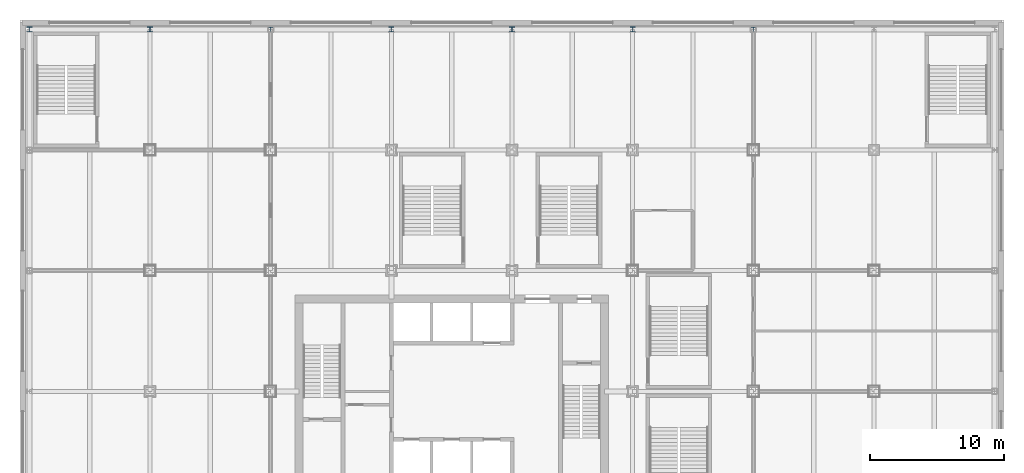
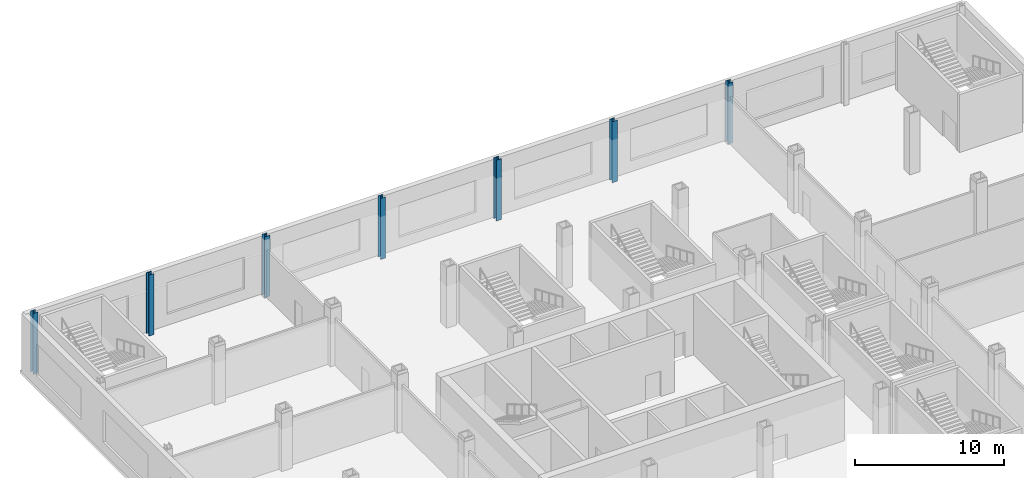
# One storey, part 7 of 31: 7 columns.
"""IFC4 building model written with IfcOpenShell, lengths in metres."""

from ifc_helpers import new_model, si_unit, direction, frame, origin, origin_2d, place, context, subcontext, project, spatial, i_section, extrude, material, material_profile, profile_set, type_object, element, save


model = new_model("IFC4")

# Units and contexts
model_context = context("Model", 3, precision=1e-05, world=origin(), true_north=direction((0.0, 1.0)))
body_context = subcontext(model_context, "Body", "Model", "MODEL_VIEW")
ifc_project = project(units=[si_unit("LENGTHUNIT", "METRE"), si_unit("AREAUNIT", "SQUARE_METRE"), si_unit("VOLUMEUNIT", "CUBIC_METRE"), si_unit("PLANEANGLEUNIT", "RADIAN"), si_unit("MASSUNIT", "GRAM", prefix="KILO")], contexts=[model_context])

# Site, building, storey
site_placement = place(None, origin())
site = spatial("IfcSite", under=ifc_project, at=site_placement, CompositionType="ELEMENT")
building_placement = place(site_placement, origin())
building = spatial("IfcBuilding", under=site, at=building_placement, Name="Loomwork Tower", CompositionType="ELEMENT")
storey_placement = place(building_placement, frame((0.0, 0.0, 11.0)))
storey = spatial("IfcBuildingStorey", under=building, at=storey_placement, Name="L02", CompositionType="ELEMENT", Elevation=11.0)

# Columns
ifc_material = material(Name="Steel ASTM A992", Category="steel")
ifc_material_profile = material_profile(ifc_material, i_section(OverallWidth=0.393798828125, OverallDepth=0.3759765625, WebThickness=0.017333984375, FlangeThickness=0.027587890625, at=origin_2d()), Name="W14x145")
ifc_profile_set = profile_set([ifc_material_profile], Name="Steel ASTM A992")
column_type = type_object("IfcColumnType", Name="PODIUM COLUMN W14x145", PredefinedType="COLUMN", material=ifc_profile_set)
for number, where, z_axis, x_axis, name in (
    (1, (-9.0, 45.0, 0.0), (0.0, 0.0, 1.0), (1.0, 0.0, 0.0), "Podium Column J/1 L02"),
    (2, (0.0, 45.0, 0.0), (0.0, 0.0, 1.0), (1.0, 0.0, 0.0), "Podium Column J/2 L02"),
    (3, (9.0, 45.0, 0.0), (0.0, 0.0, 1.0), (1.0, 0.0, 0.0), "Podium Column J/3 L02"),
    (4, (18.0, 45.0, 0.0), (0.0, 0.0, 1.0), (1.0, 0.0, 0.0), "Podium Column J/4 L02"),
    (5, (27.0, 45.0, 0.0), (0.0, 0.0, 1.0), (1.0, 0.0, 0.0), "Podium Column J/5 L02"),
    (6, (36.0, 45.0, 0.0), (0.0, 0.0, 1.0), (1.0, 0.0, 0.0), "Podium Column J/6 L02"),
    (7, (45.0, 45.0, 0.0), (0.0, 0.0, 1.0), (1.0, 0.0, 0.0), "Podium Column J/7 L02"),
):
    element("IfcColumn", number, at=place(storey_placement, frame(where, z_axis=z_axis, x_axis=x_axis)), inside=storey, type_object=column_type, Name=name, PredefinedType="COLUMN", context=body_context, shape_type="SweptSolid", body=[
        extrude(i_section(OverallWidth=0.393798828125, OverallDepth=0.3759765625, WebThickness=0.017333984375, FlangeThickness=0.027587890625, at=origin_2d()), origin(), (0.0, 0.0, 1.0), 5.0),
    ])

save(model, "model.ifc")
